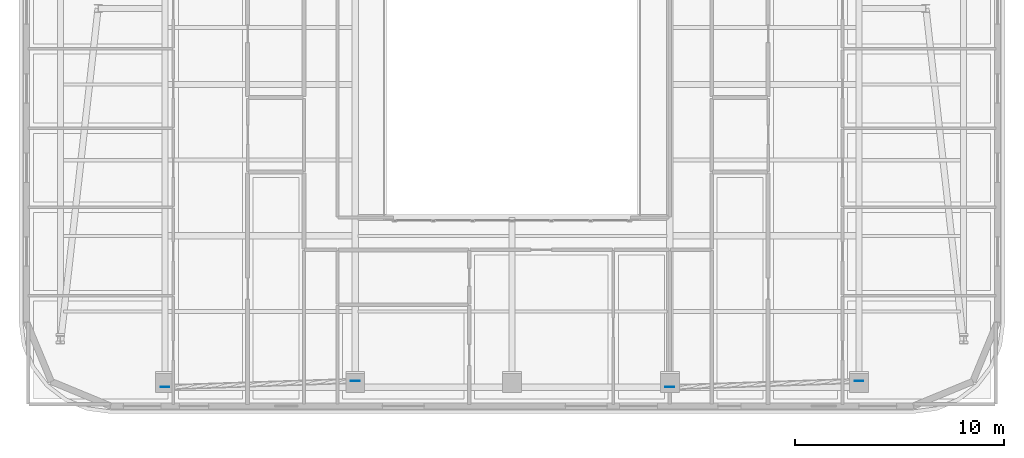
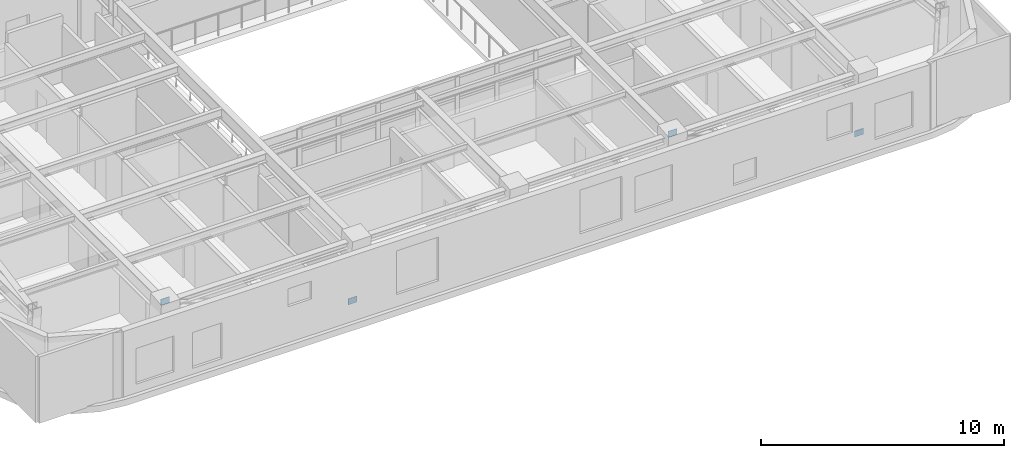
# One storey, part 5 of 14: 4 plates.
"""IFC4 building model written with IfcOpenShell, lengths in metres."""

from ifc_helpers import new_model, si_unit, direction, frame, origin, origin_2d, place, context, subcontext, project, spatial, rectangle, extrude, material, layer, layer_set, type_object, element, save


model = new_model("IFC4")

# Units and contexts
model_context = context("Model", 3, precision=1e-05, world=origin(), true_north=direction((0.0, 1.0)))
body_context = subcontext(model_context, "Body", "Model", "MODEL_VIEW")
ifc_project = project(units=[si_unit("LENGTHUNIT", "METRE"), si_unit("AREAUNIT", "SQUARE_METRE"), si_unit("VOLUMEUNIT", "CUBIC_METRE"), si_unit("PLANEANGLEUNIT", "RADIAN"), si_unit("MASSUNIT", "GRAM", prefix="KILO")], contexts=[model_context])

# Site, building, storey
site_placement = place(None, origin())
site = spatial("IfcSite", under=ifc_project, at=site_placement, CompositionType="ELEMENT")
building_placement = place(site_placement, origin())
building = spatial("IfcBuilding", under=site, at=building_placement, Name="Zarnavel Station Tower", CompositionType="ELEMENT")
storey_placement = place(building_placement, frame((0.0, 0.0, 225.60009765625)))
storey = spatial("IfcBuildingStorey", under=building, at=storey_placement, Name="L61", CompositionType="ELEMENT", Elevation=225.60009765625)

# Plates
ifc_material = material(Name="Steel S460M", Category="steel")
ifc_layer = layer(ifc_material, 0.02490234375)
ifc_layer_set = layer_set([ifc_layer], Name="GP_GUSSET_25")
plate_type = type_object("IfcPlateType", Name="GP_GUSSET_25", PredefinedType="USERDEFINED", material=ifc_layer_set)
for number, where, z_axis, x_axis, name in (
    (1, (21.300048828125, 5.7841796875, -0.14990234375), (0.0, 0.0, 1.0), (1.0, 0.0, 0.0), "L61 Exterior Diagonal Brace End Gusset 1-1"),
    (2, (12.199951171875, 5.4814453125, 3.18994140625), (0.0, 0.0, 1.0), (1.0, 0.0, 0.0), "L61 Exterior Diagonal Brace End Gusset 1-2"),
    (3, (45.39990234375, 5.7841796875, -0.14990234375), (0.0, 0.0, 1.0), (1.0, 0.0, 0.0), "L61 Exterior Diagonal Brace End Gusset 2-1"),
    (4, (36.35009765625, 5.4814453125, 3.18994140625), (0.0, 0.0, 1.0), (1.0, 0.0, 0.0), "L61 Exterior Diagonal Brace End Gusset 2-2"),
):
    element("IfcPlate", number, at=place(storey_placement, frame(where, z_axis=z_axis, x_axis=x_axis)), inside=storey, type_object=plate_type, Name=name, ObjectType="GUSSET_PLATE", PredefinedType="USERDEFINED", context=body_context, shape_type="SweptSolid", body=[
        extrude(rectangle(XDim=0.419921875, YDim=0.02490234375, at=origin_2d()), origin(), (0.0, 0.0, 1.0), 0.300048828125),
    ])

save(model, "model.ifc")
